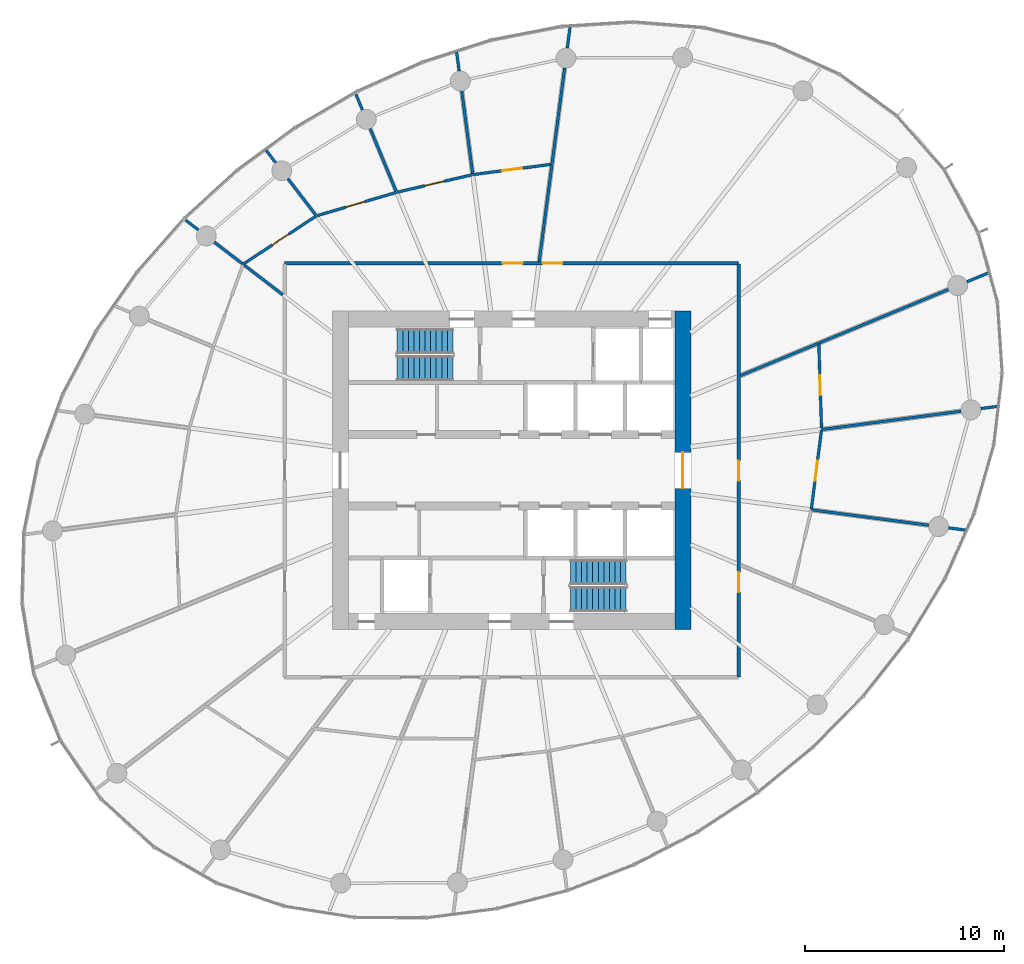
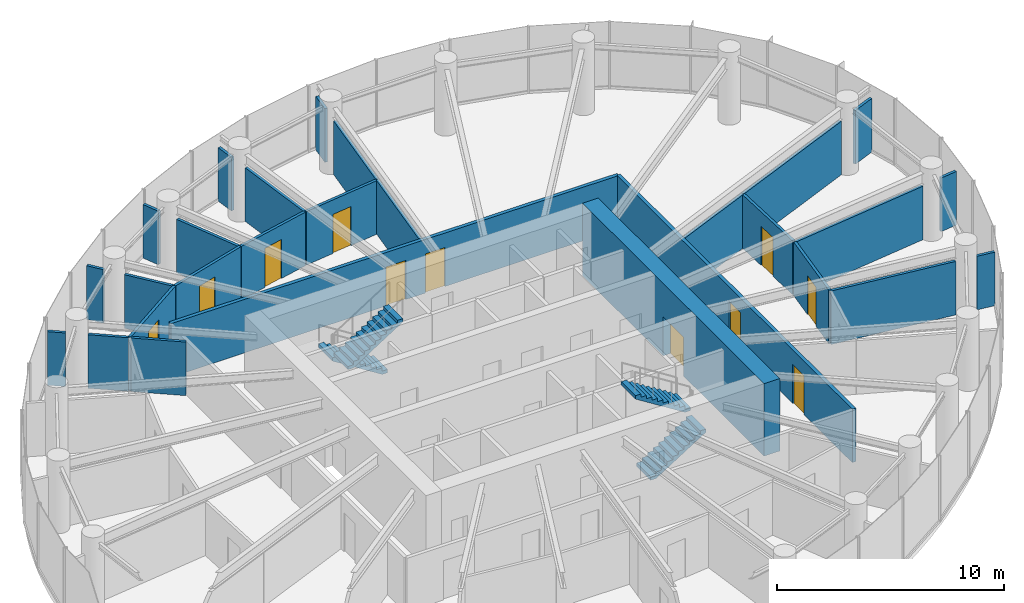
# One storey, part 11 of 14: 28 walls, 11 doors, 4 stair flights, 11 openings, 2 elements without a shape of their own.
"""IFC4 building model written with IfcOpenShell, lengths in metres."""

from ifc_helpers import new_model, si_unit, direction, frame, frame_2d, origin, place, context, subcontext, project, spatial, line, indexed_curve, rectangle, outline, extrude, source, transform, mapped, material, layer, layer_set, type_object, element, fill, aggregate, save


model = new_model("IFC4")

# Units and contexts
model_context = context("Model", 3, precision=1e-05, world=origin(), true_north=direction((0.0, 1.0)))
body_context = subcontext(model_context, "Body", "Model", "MODEL_VIEW")
ifc_project = project(units=[si_unit("LENGTHUNIT", "METRE"), si_unit("AREAUNIT", "SQUARE_METRE"), si_unit("VOLUMEUNIT", "CUBIC_METRE"), si_unit("PLANEANGLEUNIT", "RADIAN"), si_unit("MASSUNIT", "GRAM", prefix="KILO")], contexts=[model_context])

# Site, building, storey
site_placement = place(None, origin())
site = spatial("IfcSite", under=ifc_project, at=site_placement, CompositionType="ELEMENT")
building_placement = place(site_placement, origin())
building = spatial("IfcBuilding", under=site, at=building_placement, Name="Spindrift Exchange Tower", CompositionType="ELEMENT")
storey_placement = place(building_placement, frame((0.0, 0.0, 152.60009765625)))
storey = spatial("IfcBuildingStorey", under=building, at=storey_placement, Name="L36", CompositionType="ELEMENT", Elevation=152.60009765625)

# Wall, opening, door
ifc_material_1 = material(Name="Concrete 65 MPa", Category="concrete")
ifc_layer_1 = layer(ifc_material_1, 0.800048828125)
ifc_layer_set_1 = layer_set([ifc_layer_1], Name="RC Core Wall 800 Concrete 65 MPa")
wall_type_1 = type_object("IfcWallType", Name="RC Core Wall 800 Concrete 65 MPa", PredefinedType="SHEAR", material=ifc_layer_set_1)
wall_1_placement = place(storey_placement, frame((60.60009765625, 40.0, 0.0), z_axis=(0.0, 0.0, 1.0), x_axis=(0.0, 1.0, 0.0)))
wall_1 = element("IfcWall", 1, at=wall_1_placement, inside=storey, type_object=wall_type_1, Name="Core wall E L36", PredefinedType="SHEAR", context=body_context, shape_type="SweptSolid", body=[
    extrude(rectangle(XDim=16.0, YDim=0.800048828125, at=frame_2d((8.0, 0.0))), origin(), (0.0, 0.0, 1.0), 3.89990234375),
])
opening_1_placement = place(wall_1_placement, frame((7.10009765625, 0.0, 0.0)))
opening_1 = element("IfcOpeningElement", 2, at=opening_1_placement, cuts=wall_1, Name="Opening L36-D2", PredefinedType="OPENING", context=body_context, shape_type="SweptSolid", body=[
    extrude(rectangle(XDim=1.800048828125, YDim=2.10009765625, at=frame_2d((0.89990234375, 1.050048828125))), frame((0.0, 0.409912109375, 0.0), z_axis=(0.0, -1.0, 0.0), x_axis=(1.0, 0.0, 0.0)), (0.0, 0.0, 1.0), 0.820068359375),
])
ifc_material_2 = material(Name="Timber-core fire door", Category="wood")
door_type_1 = type_object("IfcDoorType", Name="DR-LOBBY-1800", OperationType="NOTDEFINED", PredefinedType="DOOR", material=ifc_material_2)
shared_shape_1 = source(origin(), body_context, "Body", "SweptSolid", [
    extrude(rectangle(XDim=1.800048828125, YDim=2.10009765625, at=frame_2d((0.89990234375, 1.050048828125))), frame((0.0, 0.02490234375, 0.0), z_axis=(0.0, -1.0, 0.0), x_axis=(1.0, 0.0, 0.0)), (0.0, 0.0, 1.0), 0.050048828125),
])
door_1_placement = place(opening_1_placement, origin())
door_1 = element("IfcDoor", 3, at=door_1_placement, inside=storey, type_object=door_type_1, Name="L36 Lobby door 2", OperationType="SINGLE_SWING_LEFT", OverallHeight=2.10009765625, OverallWidth=1.800048828125, PredefinedType="DOOR", context=body_context, shape_type="MappedRepresentation", body=[
    mapped(shared_shape_1, transform((0.0, 0.0, 0.0), scale=1.0)),
])
fill(opening_1, door_1)

# Wall, openings, doors
ifc_material_3 = material(Name="Fire-rated plasterboard partition", Category="gypsum")
ifc_layer_2 = layer(ifc_material_3, 0.179931640625)
ifc_layer_set_2 = layer_set([ifc_layer_2], Name="W-CORR-180")
wall_type_2 = type_object("IfcWallType", Name="W-CORR-180", PredefinedType="PARTITIONING", material=ifc_layer_set_2)
wall_2_placement = place(storey_placement, frame((40.60009765625, 58.39990234375, 0.0), z_axis=(0.0, 0.0, 1.0), x_axis=(1.0, 0.0, 0.0)))
wall_2 = element("IfcWall", 4, at=wall_2_placement, inside=storey, type_object=wall_type_2, Name="L36 Partition wall 27", PredefinedType="PARTITIONING", context=body_context, shape_type="SweptSolid", body=[
    extrude(rectangle(XDim=22.7998046875, YDim=0.179931640625, at=frame_2d((11.39990234375, 0.0))), origin(), (0.0, 0.0, 1.0), 2.8798828125),
])
opening_2_placement = place(wall_2_placement, frame((12.949951171875, 0.0, 0.0)))
opening_2 = element("IfcOpeningElement", 5, at=opening_2_placement, cuts=wall_2, Name="Opening L36-D31", PredefinedType="OPENING", context=body_context, shape_type="SweptSolid", body=[
    extrude(rectangle(XDim=1.0, YDim=2.10009765625, at=frame_2d((0.5, 1.050048828125))), frame((0.0, 0.099853515625, 0.0), z_axis=(0.0, -1.0, 0.0), x_axis=(1.0, 0.0, 0.0)), (0.0, 0.0, 1.0), 0.199951171875),
])
opening_3_placement = place(wall_2_placement, frame((10.949951171875, 0.0, 0.0)))
opening_3 = element("IfcOpeningElement", 6, at=opening_3_placement, cuts=wall_2, Name="Opening L36-D32", PredefinedType="OPENING", context=body_context, shape_type="SweptSolid", body=[
    extrude(rectangle(XDim=1.0, YDim=2.10009765625, at=frame_2d((0.5, 1.050048828125))), frame((0.0, 0.099853515625, 0.0), z_axis=(0.0, -1.0, 0.0), x_axis=(1.0, 0.0, 0.0)), (0.0, 0.0, 1.0), 0.199951171875),
])
door_type_2 = type_object("IfcDoorType", Name="DR-ROOM-1000", OperationType="NOTDEFINED", PredefinedType="DOOR", material=ifc_material_2)
shared_shape_2 = source(origin(), body_context, "Body", "SweptSolid", [
    extrude(rectangle(XDim=1.0, YDim=2.10009765625, at=frame_2d((0.5, 1.050048828125))), frame((0.0, 0.02490234375, 0.0), z_axis=(0.0, -1.0, 0.0), x_axis=(1.0, 0.0, 0.0)), (0.0, 0.0, 1.0), 0.050048828125),
])
door_2_placement = place(opening_2_placement, origin())
door_2 = element("IfcDoor", 7, at=door_2_placement, inside=storey, type_object=door_type_2, Name="L36 Door 31", OperationType="SINGLE_SWING_LEFT", OverallHeight=2.10009765625, OverallWidth=1.0, PredefinedType="DOOR", context=body_context, shape_type="MappedRepresentation", body=[
    mapped(shared_shape_2, transform((0.0, 0.0, 0.0), scale=1.0)),
])
fill(opening_2, door_2)
door_3_placement = place(opening_3_placement, origin())
door_3 = element("IfcDoor", 8, at=door_3_placement, inside=storey, type_object=door_type_2, Name="L36 Door 32", OperationType="SINGLE_SWING_RIGHT", OverallHeight=2.10009765625, OverallWidth=1.0, PredefinedType="DOOR", context=body_context, shape_type="MappedRepresentation", body=[
    mapped(shared_shape_2, transform((0.0, 0.0, 0.0), scale=1.0)),
])
fill(opening_3, door_3)

wall_3_placement = place(storey_placement, frame((63.39990234375, 58.3701171875, 0.0), z_axis=(0.0, 0.0, 1.0), x_axis=(0.0, -1.0, 0.0)))
wall_3 = element("IfcWall", 9, at=wall_3_placement, inside=storey, type_object=wall_type_2, Name="L36 Partition wall 29", PredefinedType="PARTITIONING", context=body_context, shape_type="SweptSolid", body=[
    extrude(rectangle(XDim=20.740234375, YDim=0.179931640625, at=frame_2d((10.3701171875, 0.0))), origin(), (0.0, 0.0, 1.0), 2.8798828125),
])
opening_4_placement = place(wall_3_placement, frame((15.489990234375, 0.0, 0.0)))
opening_4 = element("IfcOpeningElement", 10, at=opening_4_placement, cuts=wall_3, Name="Opening L36-D26", PredefinedType="OPENING", context=body_context, shape_type="SweptSolid", body=[
    extrude(rectangle(XDim=1.0, YDim=2.10009765625, at=frame_2d((0.5, 1.050048828125))), frame((0.0, 0.099853515625, 0.0), z_axis=(0.0, -1.0, 0.0), x_axis=(1.0, 0.0, 0.0)), (0.0, 0.0, 1.0), 0.199951171875),
])
opening_5_placement = place(wall_3_placement, frame((9.889892578125, 0.0, 0.0)))
opening_5 = element("IfcOpeningElement", 11, at=opening_5_placement, cuts=wall_3, Name="Opening L36-D27", PredefinedType="OPENING", context=body_context, shape_type="SweptSolid", body=[
    extrude(rectangle(XDim=1.0, YDim=2.10009765625, at=frame_2d((0.5, 1.050048828125))), frame((0.0, 0.099853515625, 0.0), z_axis=(0.0, -1.0, 0.0), x_axis=(1.0, 0.0, 0.0)), (0.0, 0.0, 1.0), 0.199951171875),
])
door_4_placement = place(opening_4_placement, origin())
door_4 = element("IfcDoor", 12, at=door_4_placement, inside=storey, type_object=door_type_2, Name="L36 Door 26", OperationType="SINGLE_SWING_RIGHT", OverallHeight=2.10009765625, OverallWidth=1.0, PredefinedType="DOOR", context=body_context, shape_type="MappedRepresentation", body=[
    mapped(shared_shape_2, transform((0.0, 0.0, 0.0), scale=1.0)),
])
fill(opening_4, door_4)
door_5_placement = place(opening_5_placement, origin())
door_5 = element("IfcDoor", 13, at=door_5_placement, inside=storey, type_object=door_type_2, Name="L36 Door 27", OperationType="SINGLE_SWING_LEFT", OverallHeight=2.10009765625, OverallWidth=1.0, PredefinedType="DOOR", context=body_context, shape_type="MappedRepresentation", body=[
    mapped(shared_shape_2, transform((0.0, 0.0, 0.0), scale=1.0)),
])
fill(opening_5, door_5)

# Walls
ifc_layer_3 = layer(ifc_material_3, 0.139892578125)
ifc_layer_set_3 = layer_set([ifc_layer_3], Name="W-PART-140")
wall_type_3 = type_object("IfcWallType", Name="W-PART-140", PredefinedType="PARTITIONING", material=ifc_layer_set_3)
wall_4_placement = place(storey_placement, frame((67.56103515625, 50.048583984375, 0.0), z_axis=(0.0, 0.0, 1.0), x_axis=(0.991446056041, 0.130517117504, 0.0)))
element("IfcWall", 14, at=wall_4_placement, inside=storey, type_object=wall_type_3, Name="L36 Partition wall 31", PredefinedType="PARTITIONING", context=body_context, shape_type="SweptSolid", body=[
    extrude(rectangle(XDim=7.061279296875, YDim=0.139892578125, at=frame_2d((3.53076171875, 0.0))), origin(), (0.0, 0.0, 1.0), 2.8798828125),
])
wall_5_placement = place(storey_placement, frame((67.422607421875, 54.38818359375, 0.0), z_axis=(0.0, 0.0, 1.0), x_axis=(0.923877847589, 0.382687500102, 0.0)))
element("IfcWall", 15, at=wall_5_placement, inside=storey, type_object=wall_type_3, Name="L36 Partition wall 32", PredefinedType="PARTITIONING", context=body_context, shape_type="SweptSolid", body=[
    extrude(rectangle(XDim=7.043701171875, YDim=0.139892578125, at=frame_2d((3.52197265625, 0.0))), origin(), (0.0, 0.0, 1.0), 2.8798828125),
])
wall_6_placement = place(storey_placement, frame((67.043701171875, 46.019287109375, 0.0), z_axis=(0.0, 0.0, 1.0), x_axis=(0.991450523091, -0.13048318, 0.0)))
element("IfcWall", 16, at=wall_6_placement, inside=storey, type_object=wall_type_3, Name="L36 Partition wall 33", PredefinedType="PARTITIONING", context=body_context, shape_type="SweptSolid", body=[
    extrude(rectangle(XDim=5.947998046875, YDim=0.139892578125, at=frame_2d((2.97412109375, 0.0))), origin(), (0.0, 0.0, 1.0), 2.8798828125),
])
wall_7_placement = place(storey_placement, frame((53.381103515625, 58.489990234375, 0.0), z_axis=(0.0, 0.0, 1.0), x_axis=(0.130523758186, 0.991445181817, 0.0)))
element("IfcWall", 17, at=wall_7_placement, inside=storey, type_object=wall_type_3, Name="L36 Partition wall 42", PredefinedType="PARTITIONING", context=body_context, shape_type="SweptSolid", body=[
    extrude(rectangle(XDim=4.925048828125, YDim=0.139892578125, at=frame_2d((2.46240234375, 0.0))), origin(), (0.0, 0.0, 1.0), 2.8798828125),
])
wall_8_placement = place(storey_placement, frame((54.02783203125, 63.40234375, 0.0), z_axis=(0.0, 0.0, 1.0), x_axis=(0.130532734851, 0.991443999998, 0.0)))
element("IfcWall", 18, at=wall_8_placement, inside=storey, type_object=wall_type_3, Name="L36 Partition wall 44", PredefinedType="PARTITIONING", context=body_context, shape_type="SweptSolid", body=[
    extrude(rectangle(XDim=4.84423828125, YDim=0.139892578125, at=frame_2d((2.422119140625, 0.0))), origin(), (0.0, 0.0, 1.0), 2.8798828125),
])

# Wall, opening, door
wall_9_placement = place(storey_placement, frame((38.510986328125, 58.3505859375, 0.0), z_axis=(0.0, 0.0, 1.0), x_axis=(0.834612459485, 0.550837582662, 0.0)))
wall_9 = element("IfcWall", 19, at=wall_9_placement, inside=storey, type_object=wall_type_3, Name="L36 Partition wall 48", PredefinedType="PARTITIONING", context=body_context, shape_type="SweptSolid", body=[
    extrude(rectangle(XDim=4.411865234375, YDim=0.139892578125, at=frame_2d((2.2060546875, 0.0))), origin(), (0.0, 0.0, 1.0), 2.8798828125),
])
opening_6_placement = place(wall_9_placement, frame((1.76171875, 0.0, 0.0)))
opening_6 = element("IfcOpeningElement", 20, at=opening_6_placement, cuts=wall_9, Name="Opening L36-D36", PredefinedType="OPENING", context=body_context, shape_type="SweptSolid", body=[
    extrude(rectangle(XDim=1.0, YDim=2.10009765625, at=frame_2d((0.5, 1.050048828125))), frame((0.0, 0.079833984375, 0.0), z_axis=(0.0, -1.0, 0.0), x_axis=(1.0, 0.0, 0.0)), (0.0, 0.0, 1.0), 0.159912109375),
])
door_6_placement = place(opening_6_placement, origin())
door_6 = element("IfcDoor", 21, at=door_6_placement, inside=storey, type_object=door_type_2, Name="L36 Door 36", OperationType="SINGLE_SWING_RIGHT", OverallHeight=2.10009765625, OverallWidth=1.0, PredefinedType="DOOR", context=body_context, shape_type="MappedRepresentation", body=[
    mapped(shared_shape_2, transform((0.0, 0.0, 0.0), scale=1.0)),
])
fill(opening_6, door_6)

# Wall
wall_10_placement = place(storey_placement, frame((63.489990234375, 52.75927734375, 0.0), z_axis=(0.0, 0.0, 1.0), x_axis=(0.923878137975, 0.382686799055, 0.0)))
element("IfcWall", 22, at=wall_10_placement, inside=storey, type_object=wall_type_3, Name="L36 Partition wall 52", PredefinedType="PARTITIONING", context=body_context, shape_type="SweptSolid", body=[
    extrude(rectangle(XDim=4.2265625, YDim=0.139892578125, at=frame_2d((2.11328125, 0.0))), origin(), (0.0, 0.0, 1.0), 2.8798828125),
])

# Wall, opening, door
wall_11_placement = place(storey_placement, frame((67.423583984375, 54.3583984375, 0.0), z_axis=(0.0, 0.0, 1.0), x_axis=(0.031887030208, -0.999491479356, 0.0)))
wall_11 = element("IfcWall", 23, at=wall_11_placement, inside=storey, type_object=wall_type_3, Name="L36 Partition wall 53", PredefinedType="PARTITIONING", context=body_context, shape_type="SweptSolid", body=[
    extrude(rectangle(XDim=4.24169921875, YDim=0.139892578125, at=frame_2d((2.120849609375, 0.0))), origin(), (0.0, 0.0, 1.0), 2.8798828125),
])
opening_7_placement = place(wall_11_placement, frame((1.591552734375, 0.0, 0.0)))
opening_7 = element("IfcOpeningElement", 24, at=opening_7_placement, cuts=wall_11, Name="Opening L36-D30", PredefinedType="OPENING", context=body_context, shape_type="SweptSolid", body=[
    extrude(rectangle(XDim=1.0, YDim=2.10009765625, at=frame_2d((0.5, 1.050048828125))), frame((0.0, 0.079833984375, 0.0), z_axis=(0.0, -1.0, 0.0), x_axis=(1.0, 0.0, 0.0)), (0.0, 0.0, 1.0), 0.159912109375),
])
door_7_placement = place(opening_7_placement, origin())
door_7 = element("IfcDoor", 25, at=door_7_placement, inside=storey, type_object=door_type_2, Name="L36 Door 30", OperationType="SINGLE_SWING_RIGHT", OverallHeight=2.10009765625, OverallWidth=1.0, PredefinedType="DOOR", context=body_context, shape_type="MappedRepresentation", body=[
    mapped(shared_shape_2, transform((0.0, 0.0, 0.0), scale=1.0)),
])
fill(opening_7, door_7)

# Wall
wall_12_placement = place(storey_placement, frame((50.044921875, 62.850341796875, 0.0), z_axis=(0.0, 0.0, 1.0), x_axis=(-0.130506679213, 0.991447430115, 0.0)))
element("IfcWall", 26, at=wall_12_placement, inside=storey, type_object=wall_type_3, Name="L36 Partition wall 55", PredefinedType="PARTITIONING", context=body_context, shape_type="SweptSolid", body=[
    extrude(rectangle(XDim=4.237060546875, YDim=0.139892578125, at=frame_2d((2.11865234375, 0.0))), origin(), (0.0, 0.0, 1.0), 2.8798828125),
])

# Wall, opening, door
wall_13_placement = place(storey_placement, frame((42.2216796875, 60.789306640625, 0.0), z_axis=(0.0, 0.0, 1.0), x_axis=(0.959559478974, 0.281505961415, 0.0)))
wall_13 = element("IfcWall", 27, at=wall_13_placement, inside=storey, type_object=wall_type_3, Name="L36 Partition wall 56", PredefinedType="PARTITIONING", context=body_context, shape_type="SweptSolid", body=[
    extrude(rectangle(XDim=4.163818359375, YDim=0.139892578125, at=frame_2d((2.08203125, 0.0))), origin(), (0.0, 0.0, 1.0), 2.8798828125),
])
opening_8_placement = place(wall_13_placement, frame((1.513671875, 0.0, 0.0)))
opening_8 = element("IfcOpeningElement", 28, at=opening_8_placement, cuts=wall_13, Name="Opening L36-D35", PredefinedType="OPENING", context=body_context, shape_type="SweptSolid", body=[
    extrude(rectangle(XDim=1.0, YDim=2.10009765625, at=frame_2d((0.5, 1.050048828125))), frame((0.0, 0.079833984375, 0.0), z_axis=(0.0, -1.0, 0.0), x_axis=(1.0, 0.0, 0.0)), (0.0, 0.0, 1.0), 0.159912109375),
])
door_8_placement = place(opening_8_placement, origin())
door_8 = element("IfcDoor", 29, at=door_8_placement, inside=storey, type_object=door_type_2, Name="L36 Door 35", OperationType="SINGLE_SWING_LEFT", OverallHeight=2.10009765625, OverallWidth=1.0, PredefinedType="DOOR", context=body_context, shape_type="MappedRepresentation", body=[
    mapped(shared_shape_2, transform((0.0, 0.0, 0.0), scale=1.0)),
])
fill(opening_8, door_8)

wall_14_placement = place(storey_placement, frame((67.557373046875, 50.018798828125, 0.0), z_axis=(0.0, 0.0, 1.0), x_axis=(-0.127375141881, -0.99185461295, 0.0)))
wall_14 = element("IfcWall", 30, at=wall_14_placement, inside=storey, type_object=wall_type_3, Name="L36 Partition wall 59", PredefinedType="PARTITIONING", context=body_context, shape_type="SweptSolid", body=[
    extrude(rectangle(XDim=4.002197265625, YDim=0.139892578125, at=frame_2d((2.0009765625, 0.0))), origin(), (0.0, 0.0, 1.0), 2.8798828125),
])
opening_9_placement = place(wall_14_placement, frame((1.55224609375, 0.0, 0.0)))
opening_9 = element("IfcOpeningElement", 31, at=opening_9_placement, cuts=wall_14, Name="Opening L36-D29", PredefinedType="OPENING", context=body_context, shape_type="SweptSolid", body=[
    extrude(rectangle(XDim=1.0, YDim=2.10009765625, at=frame_2d((0.5, 1.050048828125))), frame((0.0, 0.079833984375, 0.0), z_axis=(0.0, -1.0, 0.0), x_axis=(1.0, 0.0, 0.0)), (0.0, 0.0, 1.0), 0.159912109375),
])
door_9_placement = place(opening_9_placement, origin())
door_9 = element("IfcDoor", 32, at=door_9_placement, inside=storey, type_object=door_type_2, Name="L36 Door 29", OperationType="SINGLE_SWING_LEFT", OverallHeight=2.10009765625, OverallWidth=1.0, PredefinedType="DOOR", context=body_context, shape_type="MappedRepresentation", body=[
    mapped(shared_shape_2, transform((0.0, 0.0, 0.0), scale=1.0)),
])
fill(opening_9, door_9)

wall_15_placement = place(storey_placement, frame((50.07470703125, 62.854248046875, 0.0), z_axis=(0.0, 0.0, 1.0), x_axis=(0.991491442794, 0.130171882012, 0.0)))
wall_15 = element("IfcWall", 33, at=wall_15_placement, inside=storey, type_object=wall_type_3, Name="L36 Partition wall 60", PredefinedType="PARTITIONING", context=body_context, shape_type="SweptSolid", body=[
    extrude(rectangle(XDim=3.910400390625, YDim=0.139892578125, at=frame_2d((1.955078125, 0.0))), origin(), (0.0, 0.0, 1.0), 2.8798828125),
])
opening_10_placement = place(wall_15_placement, frame((1.460693359375, 0.0, 0.0)))
opening_10 = element("IfcOpeningElement", 34, at=opening_10_placement, cuts=wall_15, Name="Opening L36-D33", PredefinedType="OPENING", context=body_context, shape_type="SweptSolid", body=[
    extrude(rectangle(XDim=1.0, YDim=2.10009765625, at=frame_2d((0.5, 1.050048828125))), frame((0.0, 0.079833984375, 0.0), z_axis=(0.0, -1.0, 0.0), x_axis=(1.0, 0.0, 0.0)), (0.0, 0.0, 1.0), 0.159912109375),
])
door_10_placement = place(opening_10_placement, origin())
door_10 = element("IfcDoor", 35, at=door_10_placement, inside=storey, type_object=door_type_2, Name="L36 Door 33", OperationType="SINGLE_SWING_LEFT", OverallHeight=2.10009765625, OverallWidth=1.0, PredefinedType="DOOR", context=body_context, shape_type="MappedRepresentation", body=[
    mapped(shared_shape_2, transform((0.0, 0.0, 0.0), scale=1.0)),
])
fill(opening_10, door_10)

wall_16_placement = place(storey_placement, frame((46.24609375, 61.96826171875, 0.0), z_axis=(0.0, 0.0, 1.0), x_axis=(0.974087273118, 0.226172465941, 0.0)))
wall_16 = element("IfcWall", 36, at=wall_16_placement, inside=storey, type_object=wall_type_3, Name="L36 Partition wall 62", PredefinedType="PARTITIONING", context=body_context, shape_type="SweptSolid", body=[
    extrude(rectangle(XDim=3.869873046875, YDim=0.139892578125, at=frame_2d((1.93505859375, 0.0))), origin(), (0.0, 0.0, 1.0), 2.8798828125),
])
opening_11_placement = place(wall_16_placement, frame((1.419921875, 0.0, 0.0)))
opening_11 = element("IfcOpeningElement", 37, at=opening_11_placement, cuts=wall_16, Name="Opening L36-D34", PredefinedType="OPENING", context=body_context, shape_type="SweptSolid", body=[
    extrude(rectangle(XDim=1.0, YDim=2.10009765625, at=frame_2d((0.5, 1.050048828125))), frame((0.0, 0.079833984375, 0.0), z_axis=(0.0, -1.0, 0.0), x_axis=(1.0, 0.0, 0.0)), (0.0, 0.0, 1.0), 0.159912109375),
])
door_11_placement = place(opening_11_placement, origin())
door_11 = element("IfcDoor", 38, at=door_11_placement, inside=storey, type_object=door_type_2, Name="L36 Door 34", OperationType="SINGLE_SWING_RIGHT", OverallHeight=2.10009765625, OverallWidth=1.0, PredefinedType="DOOR", context=body_context, shape_type="MappedRepresentation", body=[
    mapped(shared_shape_2, transform((0.0, 0.0, 0.0), scale=1.0)),
])
fill(opening_11, door_11)

# Walls
wall_17_placement = place(storey_placement, frame((46.18994140625, 62.026611328125, 0.0), z_axis=(0.0, 0.0, 1.0), x_axis=(-0.382697308523, 0.923873784696, 0.0)))
element("IfcWall", 39, at=wall_17_placement, inside=storey, type_object=wall_type_3, Name="L36 Partition wall 67", PredefinedType="PARTITIONING", context=body_context, shape_type="SweptSolid", body=[
    extrude(rectangle(XDim=3.390625, YDim=0.139892578125, at=frame_2d((1.6953125, 0.0))), origin(), (0.0, 0.0, 1.0), 2.8798828125),
])
wall_18_placement = place(storey_placement, frame((40.510009765625, 56.816650390625, 0.0), z_axis=(0.0, 0.0, 1.0), x_axis=(-0.793387804713, 0.608716511467, 0.0)))
element("IfcWall", 40, at=wall_18_placement, inside=storey, type_object=wall_type_3, Name="L36 Partition wall 72", PredefinedType="PARTITIONING", context=body_context, shape_type="SweptSolid", body=[
    extrude(rectangle(XDim=2.44580078125, YDim=0.139892578125, at=frame_2d((1.222900390625, 0.0))), origin(), (0.0, 0.0, 1.0), 2.8798828125),
])
wall_19_placement = place(storey_placement, frame((42.150390625, 60.83642578125, 0.0), z_axis=(0.0, 0.0, 1.0), x_axis=(-0.608757629388, 0.793356255828, 0.0)))
element("IfcWall", 41, at=wall_19_placement, inside=storey, type_object=wall_type_3, Name="L36 Partition wall 76", PredefinedType="PARTITIONING", context=body_context, shape_type="SweptSolid", body=[
    extrude(rectangle(XDim=2.27880859375, YDim=0.139892578125, at=frame_2d((1.139404296875, 0.0))), origin(), (0.0, 0.0, 1.0), 2.8798828125),
])
wall_20_placement = place(storey_placement, frame((38.487060546875, 58.368896484375, 0.0), z_axis=(0.0, 0.0, 1.0), x_axis=(-0.793336842099, 0.608782929269, 0.0)))
element("IfcWall", 42, at=wall_20_placement, inside=storey, type_object=wall_type_3, Name="L36 Partition wall 78", PredefinedType="PARTITIONING", context=body_context, shape_type="SweptSolid", body=[
    extrude(rectangle(XDim=1.793701171875, YDim=0.139892578125, at=frame_2d((0.89697265625, 0.0))), origin(), (0.0, 0.0, 1.0), 2.8798828125),
])
wall_21_placement = place(storey_placement, frame((74.86328125, 57.47021484375, 0.0), z_axis=(0.0, 0.0, 1.0), x_axis=(0.923882723383, 0.382675728829, 0.0)))
element("IfcWall", 43, at=wall_21_placement, inside=storey, type_object=wall_type_3, Name="L36 Partition wall 80", PredefinedType="PARTITIONING", context=body_context, shape_type="SweptSolid", body=[
    extrude(rectangle(XDim=1.1982421875, YDim=0.139892578125, at=frame_2d((0.59912109375, 0.0))), origin(), (0.0, 0.0, 1.0), 2.8798828125),
])
wall_22_placement = place(storey_placement, frame((54.791748046875, 69.205322265625, 0.0), z_axis=(0.0, 0.0, 1.0), x_axis=(0.130569518357, 0.991439156417, 0.0)))
element("IfcWall", 44, at=wall_22_placement, inside=storey, type_object=wall_type_3, Name="L36 Partition wall 83", PredefinedType="PARTITIONING", context=body_context, shape_type="SweptSolid", body=[
    extrude(rectangle(XDim=1.04345703125, YDim=0.139892578125, at=frame_2d((0.521728515625, 0.0))), origin(), (0.0, 0.0, 1.0), 2.8798828125),
])
wall_23_placement = place(storey_placement, frame((49.360107421875, 68.051513671875, 0.0), z_axis=(0.0, 0.0, 1.0), x_axis=(-0.130434626054, 0.991456911987, 0.0)))
element("IfcWall", 45, at=wall_23_placement, inside=storey, type_object=wall_type_3, Name="L36 Partition wall 86", PredefinedType="PARTITIONING", context=body_context, shape_type="SweptSolid", body=[
    extrude(rectangle(XDim=0.95263671875, YDim=0.139892578125, at=frame_2d((0.476318359375, 0.0))), origin(), (0.0, 0.0, 1.0), 2.8798828125),
])
wall_24_placement = place(storey_placement, frame((73.941162109375, 45.111328125, 0.0), z_axis=(0.0, 0.0, 1.0), x_axis=(0.991446500326, -0.130513742537, 0.0)))
element("IfcWall", 46, at=wall_24_placement, inside=storey, type_object=wall_type_3, Name="L36 Partition wall 88", PredefinedType="PARTITIONING", context=body_context, shape_type="SweptSolid", body=[
    extrude(rectangle(XDim=0.85302734375, YDim=0.139892578125, at=frame_2d((0.426513671875, 0.0))), origin(), (0.0, 0.0, 1.0), 2.8798828125),
])
wall_25_placement = place(storey_placement, frame((44.505859375, 66.09228515625, 0.0), z_axis=(0.0, 0.0, 1.0), x_axis=(-0.382722863119, 0.923863198772, 0.0)))
element("IfcWall", 47, at=wall_25_placement, inside=storey, type_object=wall_type_3, Name="L36 Partition wall 89", PredefinedType="PARTITIONING", context=body_context, shape_type="SweptSolid", body=[
    extrude(rectangle(XDim=0.852294921875, YDim=0.139892578125, at=frame_2d((0.42626953125, 0.0))), origin(), (0.0, 0.0, 1.0), 2.8798828125),
])
wall_26_placement = place(storey_placement, frame((75.56201171875, 51.10205078125, 0.0), z_axis=(0.0, 0.0, 1.0), x_axis=(0.991432738393, 0.130618242377, 0.0)))
element("IfcWall", 48, at=wall_26_placement, inside=storey, type_object=wall_type_3, Name="L36 Partition wall 91", PredefinedType="PARTITIONING", context=body_context, shape_type="SweptSolid", body=[
    extrude(rectangle(XDim=0.8486328125, YDim=0.139892578125, at=frame_2d((0.42431640625, 0.0))), origin(), (0.0, 0.0, 1.0), 2.8798828125),
])
wall_27_placement = place(storey_placement, frame((36.263427734375, 60.0751953125, 0.0), z_axis=(0.0, 0.0, 1.0), x_axis=(-0.793425360376, 0.608667559109, 0.0)))
element("IfcWall", 49, at=wall_27_placement, inside=storey, type_object=wall_type_3, Name="L36 Partition wall 96", PredefinedType="PARTITIONING", context=body_context, shape_type="SweptSolid", body=[
    extrude(rectangle(XDim=0.803466796875, YDim=0.139892578125, at=frame_2d((0.40185546875, 0.0))), origin(), (0.0, 0.0, 1.0), 2.8798828125),
])
wall_28_placement = place(storey_placement, frame((40.14892578125, 63.444580078125, 0.0), z_axis=(0.0, 0.0, 1.0), x_axis=(-0.608659697441, 0.793431391307, 0.0)))
element("IfcWall", 50, at=wall_28_placement, inside=storey, type_object=wall_type_3, Name="L36 Partition wall 98", PredefinedType="PARTITIONING", context=body_context, shape_type="SweptSolid", body=[
    extrude(rectangle(XDim=0.7861328125, YDim=0.139892578125, at=frame_2d((0.39306640625, 0.0))), origin(), (0.0, 0.0, 1.0), 2.8798828125),
])

# Stair, stair flights
ifc_material_4 = material(Name="Concrete 50 MPa", Category="concrete")
stair_type = type_object("IfcStairType", Name="ST-1250-R177", PredefinedType="HALF_TURN_STAIR", material=ifc_material_4)
stair_1_placement = place(storey_placement, origin())
stair_1 = element("IfcStair", 51, at=stair_1_placement, inside=storey, type_object=stair_type, Name="L36 Exit stair ST1", PredefinedType="HALF_TURN_STAIR")
stair_flight_type = type_object("IfcStairFlightType", Name="STF-1250-R177", PredefinedType="STRAIGHT", material=ifc_material_4)
stair_flight_1_placement = place(storey_placement, frame((49.050048828125, 54.47509765625, 0.0), z_axis=(0.0, 0.0, 1.0), x_axis=(-1.0, 0.0, 0.0)))
stair_flight_1 = element("IfcStairFlight", 52, at=stair_flight_1_placement, type_object=stair_flight_type, Name="ST1 flight 1", NumberOfRisers=11, NumberOfTreads=10, PredefinedType="STRAIGHT", RiserHeight=0.177272727, TreadLength=0.28, context=body_context, shape_type="SweptSolid", body=[
    extrude(outline(indexed_curve([(0.0, 0.0), (0.0, 0.177734375), (0.2802734375, 0.177734375), (0.2802734375, 0.3544921875), (0.5595703125, 0.3544921875), (0.5595703125, 0.5322265625), (0.83984375, 0.5322265625), (0.83984375, 0.708984375), (1.1201171875, 0.708984375), (1.1201171875, 0.88671875), (1.400390625, 0.88671875), (1.400390625, 1.0634765625), (1.6796875, 1.0634765625), (1.6796875, 1.2412109375), (1.9599609375, 1.2412109375), (1.9599609375, 1.41796875), (2.240234375, 1.41796875), (2.240234375, 1.595703125), (2.51953125, 1.595703125), (2.51953125, 1.7724609375), (2.7998046875, 1.7724609375), (2.7998046875, 1.9501953125), (2.7998046875, 1.595703125), (0.2802734375, 0.0)], segments=[line(1, 2, 3, 4, 5, 6, 7, 8, 9, 10, 11, 12, 13, 14, 15, 16, 17, 18, 19, 20, 21, 22, 23, 24, 1)], self_intersect=False)), frame((0.0, 0.625, 0.0), z_axis=(0.0, -1.0, 0.0), x_axis=(1.0, 0.0, 0.0)), (0.0, 0.0, 1.0), 1.25),
])
stair_flight_2_placement = place(storey_placement, frame((46.25, 53.125, 1.949951171875), z_axis=(0.0, 0.0, 1.0), x_axis=(1.0, 0.0, 0.0)))
stair_flight_2 = element("IfcStairFlight", 53, at=stair_flight_2_placement, type_object=stair_flight_type, Name="ST1 flight 2", NumberOfRisers=11, NumberOfTreads=10, PredefinedType="STRAIGHT", RiserHeight=0.177272727, TreadLength=0.28, context=body_context, shape_type="SweptSolid", body=[
    extrude(outline(indexed_curve([(0.0, 0.0), (0.0, 0.177734375), (0.2802734375, 0.177734375), (0.2802734375, 0.3544921875), (0.5595703125, 0.3544921875), (0.5595703125, 0.5322265625), (0.83984375, 0.5322265625), (0.83984375, 0.708984375), (1.1201171875, 0.708984375), (1.1201171875, 0.88671875), (1.400390625, 0.88671875), (1.400390625, 1.0634765625), (1.6796875, 1.0634765625), (1.6796875, 1.2412109375), (1.9599609375, 1.2412109375), (1.9599609375, 1.41796875), (2.240234375, 1.41796875), (2.240234375, 1.595703125), (2.51953125, 1.595703125), (2.51953125, 1.7724609375), (2.7998046875, 1.7724609375), (2.7998046875, 1.9501953125), (2.7998046875, 1.595703125), (0.2802734375, 0.0)], segments=[line(1, 2, 3, 4, 5, 6, 7, 8, 9, 10, 11, 12, 13, 14, 15, 16, 17, 18, 19, 20, 21, 22, 23, 24, 1)], self_intersect=False)), frame((0.0, 0.625, 0.0), z_axis=(0.0, -1.0, 0.0), x_axis=(1.0, 0.0, 0.0)), (0.0, 0.0, 1.0), 1.25),
])
aggregate(stair_1, [stair_flight_1, stair_flight_2])

stair_2_placement = place(storey_placement, origin())
stair_2 = element("IfcStair", 54, at=stair_2_placement, inside=storey, type_object=stair_type, Name="L36 Exit stair ST2", PredefinedType="HALF_TURN_STAIR")
stair_flight_3_placement = place(storey_placement, frame((54.949951171875, 41.52490234375, 0.0), z_axis=(0.0, 0.0, 1.0), x_axis=(1.0, 0.0, 0.0)))
stair_flight_3 = element("IfcStairFlight", 55, at=stair_flight_3_placement, type_object=stair_flight_type, Name="ST2 flight 1", NumberOfRisers=11, NumberOfTreads=10, PredefinedType="STRAIGHT", RiserHeight=0.177272727, TreadLength=0.28, context=body_context, shape_type="SweptSolid", body=[
    extrude(outline(indexed_curve([(0.0, 0.0), (0.0, 0.177734375), (0.2802734375, 0.177734375), (0.2802734375, 0.3544921875), (0.5595703125, 0.3544921875), (0.5595703125, 0.5322265625), (0.83984375, 0.5322265625), (0.83984375, 0.708984375), (1.1201171875, 0.708984375), (1.1201171875, 0.88671875), (1.400390625, 0.88671875), (1.400390625, 1.0634765625), (1.6796875, 1.0634765625), (1.6796875, 1.2412109375), (1.9599609375, 1.2412109375), (1.9599609375, 1.41796875), (2.240234375, 1.41796875), (2.240234375, 1.595703125), (2.51953125, 1.595703125), (2.51953125, 1.7724609375), (2.7998046875, 1.7724609375), (2.7998046875, 1.9501953125), (2.7998046875, 1.595703125), (0.2802734375, 0.0)], segments=[line(1, 2, 3, 4, 5, 6, 7, 8, 9, 10, 11, 12, 13, 14, 15, 16, 17, 18, 19, 20, 21, 22, 23, 24, 1)], self_intersect=False)), frame((0.0, 0.625, 0.0), z_axis=(0.0, -1.0, 0.0), x_axis=(1.0, 0.0, 0.0)), (0.0, 0.0, 1.0), 1.25),
])
stair_flight_4_placement = place(storey_placement, frame((57.75, 42.875, 1.949951171875), z_axis=(0.0, 0.0, 1.0), x_axis=(-1.0, 0.0, 0.0)))
stair_flight_4 = element("IfcStairFlight", 56, at=stair_flight_4_placement, type_object=stair_flight_type, Name="ST2 flight 2", NumberOfRisers=11, NumberOfTreads=10, PredefinedType="STRAIGHT", RiserHeight=0.177272727, TreadLength=0.28, context=body_context, shape_type="SweptSolid", body=[
    extrude(outline(indexed_curve([(0.0, 0.0), (0.0, 0.177734375), (0.2802734375, 0.177734375), (0.2802734375, 0.3544921875), (0.5595703125, 0.3544921875), (0.5595703125, 0.5322265625), (0.83984375, 0.5322265625), (0.83984375, 0.708984375), (1.1201171875, 0.708984375), (1.1201171875, 0.88671875), (1.400390625, 0.88671875), (1.400390625, 1.0634765625), (1.6796875, 1.0634765625), (1.6796875, 1.2412109375), (1.9599609375, 1.2412109375), (1.9599609375, 1.41796875), (2.240234375, 1.41796875), (2.240234375, 1.595703125), (2.51953125, 1.595703125), (2.51953125, 1.7724609375), (2.7998046875, 1.7724609375), (2.7998046875, 1.9501953125), (2.7998046875, 1.595703125), (0.2802734375, 0.0)], segments=[line(1, 2, 3, 4, 5, 6, 7, 8, 9, 10, 11, 12, 13, 14, 15, 16, 17, 18, 19, 20, 21, 22, 23, 24, 1)], self_intersect=False)), frame((0.0, 0.625, 0.0), z_axis=(0.0, -1.0, 0.0), x_axis=(1.0, 0.0, 0.0)), (0.0, 0.0, 1.0), 1.25),
])
aggregate(stair_2, [stair_flight_3, stair_flight_4])

save(model, "model.ifc")
